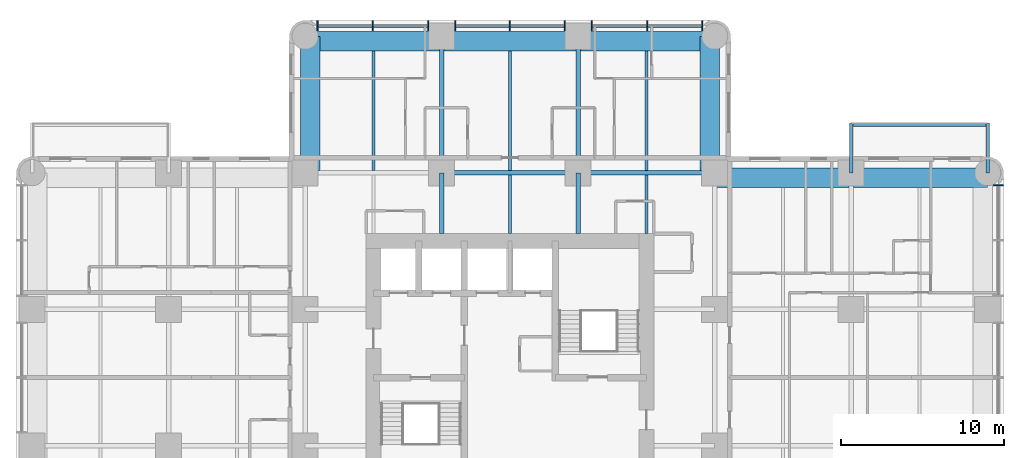
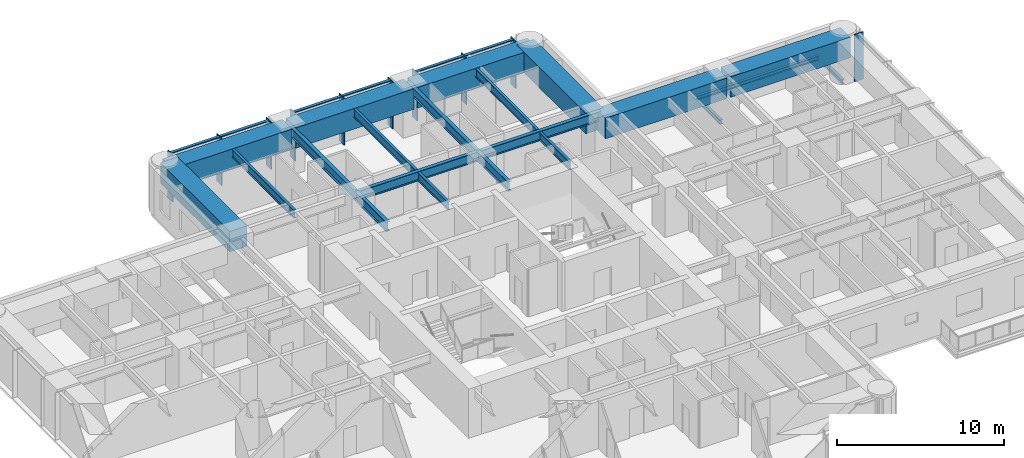
# One storey, part 4 of 14: 21 beams, 16 members, 2 elements without a shape of their own.
"""IFC4 building model written with IfcOpenShell, lengths in metres."""

from ifc_helpers import new_model, si_unit, direction, frame, origin, origin_2d, place, context, subcontext, project, spatial, rectangle, i_section, extrude, material, material_profile, profile_set, type_object, element, aggregate, save


model = new_model("IFC4")

# Units and contexts
model_context = context("Model", 3, precision=1e-05, world=origin(), true_north=direction((0.0, 1.0)))
body_context = subcontext(model_context, "Body", "Model", "MODEL_VIEW")
ifc_project = project(units=[si_unit("LENGTHUNIT", "METRE"), si_unit("AREAUNIT", "SQUARE_METRE"), si_unit("VOLUMEUNIT", "CUBIC_METRE"), si_unit("PLANEANGLEUNIT", "RADIAN"), si_unit("MASSUNIT", "GRAM", prefix="KILO")], contexts=[model_context])

# Site, building, storey
site_placement = place(None, origin())
site = spatial("IfcSite", under=ifc_project, at=site_placement, CompositionType="ELEMENT")
building_placement = place(site_placement, origin())
building = spatial("IfcBuilding", under=site, at=building_placement, Name="Torre Alcanfor", CompositionType="ELEMENT")
storey_placement = place(building_placement, frame((0.0, 0.0, 137.699951171875)))
storey = spatial("IfcBuildingStorey", under=building, at=storey_placement, Name="L35", CompositionType="ELEMENT", Elevation=137.699951171875)

# Beams
ifc_material_1 = material(Name="Steel ASTM A992 Grade 50", Category="steel")
ifc_material_profile_1 = material_profile(ifc_material_1, i_section(OverallWidth=0.205322265625, OverallDepth=0.309814453125, WebThickness=0.00927734375, FlangeThickness=0.016357421875, at=origin_2d()), Name="W12x50")
ifc_profile_set_1 = profile_set([ifc_material_profile_1], Name="Steel ASTM A992 Grade 50")
beam_type_1 = type_object("IfcBeamType", Name="Balcony cantilever beam W12x50", PredefinedType="BEAM", material=ifc_profile_set_1)
for number, where, z_axis, x_axis, name in (
    (1, (50.39990234375, 42.0, -0.35498046875), (0.0, 1.0, 0.0), (-1.0, 0.0, 0.0), "Balcony cantilever beam L35-E1 1"),
    (2, (58.800048828125, 42.0, -0.35498046875), (0.0, 1.0, 0.0), (-1.0, 0.0, 0.0), "Balcony cantilever beam L35-E1 2"),
):
    element("IfcBeam", number, at=place(storey_placement, frame(where, z_axis=z_axis, x_axis=x_axis)), inside=storey, type_object=beam_type_1, Name=name, PredefinedType="BEAM", context=body_context, shape_type="SweptSolid", body=[
        extrude(i_section(OverallWidth=0.205322265625, OverallDepth=0.309814453125, WebThickness=0.00927734375, FlangeThickness=0.016357421875, at=origin_2d()), origin(), (0.0, 0.0, 1.0), 3.050048828125),
    ])
ifc_material_2 = material(Name="Steel ASTM A992 Grade 50", Category="steel")
ifc_material_profile_2 = material_profile(ifc_material_2, i_section(OverallWidth=0.203369140625, OverallDepth=0.30224609375, WebThickness=0.007568359375, FlangeThickness=0.01318359375, at=origin_2d()), Name="W12x40")
ifc_profile_set_2 = profile_set([ifc_material_profile_2], Name="Steel ASTM A992 Grade 50")
beam_type_2 = type_object("IfcBeamType", Name="Balcony edge trimmer W12x40", PredefinedType="BEAM", material=ifc_profile_set_2)
beam_1_placement = place(storey_placement, frame((50.39990234375, 44.9482421875, -0.35107421875), z_axis=(1.0, 0.0, 0.0), x_axis=(0.0, 1.0, 0.0)))
element("IfcBeam", 3, at=beam_1_placement, inside=storey, type_object=beam_type_2, Name="Balcony edge trimmer L35-E1", PredefinedType="BEAM", context=body_context, shape_type="SweptSolid", body=[
    extrude(i_section(OverallWidth=0.203369140625, OverallDepth=0.30224609375, WebThickness=0.007568359375, FlangeThickness=0.01318359375, at=origin_2d()), origin(), (0.0, 0.0, 1.0), 8.400146484375),
])

# Curtain wall, member
ifc_material_3 = material(Name="Aluminium and glass", Category="aluminium")
curtain_wall_type = type_object("IfcCurtainWallType", Name="CW-A unitised apartment glazing with vertical FIN", PredefinedType="NOTDEFINED", material=ifc_material_3)
curtain_wall_1_placement = place(storey_placement, origin())
curtain_wall_1 = element("IfcCurtainWall", 4, at=curtain_wall_1_placement, inside=storey, type_object=curtain_wall_type, Name="Curtain wall CW-A L35 8", PredefinedType="NOTDEFINED")
ifc_material_4 = material(Name="Bronze anodised aluminium", Category="aluminium")
ifc_material_profile_3 = material_profile(ifc_material_4, rectangle(XDim=0.60009765625, YDim=0.06494140625, at=origin_2d()), Name="CW-A mullion 65x600")
ifc_profile_set_3 = profile_set([ifc_material_profile_3], Name="Bronze anodised aluminium")
member_type_1 = type_object("IfcMemberType", Name="CW-A mullion with vertical FIN 65x600", PredefinedType="MULLION", material=ifc_profile_set_3)
member_1_placement = place(storey_placement, frame((59.449951171875, 41.24267578125, 0.0), z_axis=(0.0, 0.0, 1.0), x_axis=(-1.0, 0.0, 0.0)))
member_1 = element("IfcMember", 5, at=member_1_placement, type_object=member_type_1, Name="CW-A mullion 3.3", PredefinedType="MULLION", context=body_context, shape_type="SweptSolid", body=[
    extrude(rectangle(XDim=0.60009765625, YDim=0.06494140625, at=origin_2d()), origin(), (0.0, 0.0, 1.0), 3.449951171875),
])
aggregate(curtain_wall_1, [member_1])

# Curtain wall, members
curtain_wall_2_placement = place(storey_placement, origin())
curtain_wall_2 = element("IfcCurtainWall", 6, at=curtain_wall_2_placement, inside=storey, type_object=curtain_wall_type, Name="Curtain wall CW-A L35 11", PredefinedType="NOTDEFINED")
member_2_placement = place(storey_placement, frame((41.24267578125, 51.050048828125, 0.0), z_axis=(0.0, 0.0, 1.0), x_axis=(0.0, -1.0, 0.0)))
member_2 = element("IfcMember", 7, at=member_2_placement, type_object=member_type_1, Name="CW-A mullion 1.1", PredefinedType="MULLION", context=body_context, shape_type="SweptSolid", body=[
    extrude(rectangle(XDim=0.60009765625, YDim=0.06494140625, at=origin_2d()), origin(), (0.0, 0.0, 1.0), 3.449951171875),
])
member_3_placement = place(storey_placement, frame((37.840087890625, 51.050048828125, 0.0), z_axis=(0.0, 0.0, 1.0), x_axis=(0.0, -1.0, 0.0)))
member_3 = element("IfcMember", 8, at=member_3_placement, type_object=member_type_1, Name="CW-A mullion 1.2", PredefinedType="MULLION", context=body_context, shape_type="SweptSolid", body=[
    extrude(rectangle(XDim=0.60009765625, YDim=0.06494140625, at=origin_2d()), origin(), (0.0, 0.0, 1.0), 3.449951171875),
])
member_4_placement = place(storey_placement, frame((34.4375, 51.050048828125, 0.0), z_axis=(0.0, 0.0, 1.0), x_axis=(0.0, -1.0, 0.0)))
member_4 = element("IfcMember", 9, at=member_4_placement, type_object=member_type_1, Name="CW-A mullion 1.3", PredefinedType="MULLION", context=body_context, shape_type="SweptSolid", body=[
    extrude(rectangle(XDim=0.60009765625, YDim=0.06494140625, at=origin_2d()), origin(), (0.0, 0.0, 1.0), 3.449951171875),
])
member_5_placement = place(storey_placement, frame((32.762451171875, 51.050048828125, 0.0), z_axis=(0.0, 0.0, 1.0), x_axis=(0.0, -1.0, 0.0)))
member_5 = element("IfcMember", 10, at=member_5_placement, type_object=member_type_1, Name="CW-A mullion 2.1", PredefinedType="MULLION", context=body_context, shape_type="SweptSolid", body=[
    extrude(rectangle(XDim=0.60009765625, YDim=0.06494140625, at=origin_2d()), origin(), (0.0, 0.0, 1.0), 3.449951171875),
])
member_6_placement = place(storey_placement, frame((29.39990234375, 51.050048828125, 0.0), z_axis=(0.0, 0.0, 1.0), x_axis=(0.0, -1.0, 0.0)))
member_6 = element("IfcMember", 11, at=member_6_placement, type_object=member_type_1, Name="CW-A mullion 2.2", PredefinedType="MULLION", context=body_context, shape_type="SweptSolid", body=[
    extrude(rectangle(XDim=0.60009765625, YDim=0.06494140625, at=origin_2d()), origin(), (0.0, 0.0, 1.0), 3.449951171875),
])
member_7_placement = place(storey_placement, frame((26.03759765625, 51.050048828125, 0.0), z_axis=(0.0, 0.0, 1.0), x_axis=(0.0, -1.0, 0.0)))
member_7 = element("IfcMember", 12, at=member_7_placement, type_object=member_type_1, Name="CW-A mullion 2.3", PredefinedType="MULLION", context=body_context, shape_type="SweptSolid", body=[
    extrude(rectangle(XDim=0.60009765625, YDim=0.06494140625, at=origin_2d()), origin(), (0.0, 0.0, 1.0), 3.449951171875),
])
member_8_placement = place(storey_placement, frame((24.362548828125, 51.050048828125, 0.0), z_axis=(0.0, 0.0, 1.0), x_axis=(0.0, -1.0, 0.0)))
member_8 = element("IfcMember", 13, at=member_8_placement, type_object=member_type_1, Name="CW-A mullion 3.1", PredefinedType="MULLION", context=body_context, shape_type="SweptSolid", body=[
    extrude(rectangle(XDim=0.60009765625, YDim=0.06494140625, at=origin_2d()), origin(), (0.0, 0.0, 1.0), 3.449951171875),
])
member_9_placement = place(storey_placement, frame((20.9599609375, 51.050048828125, 0.0), z_axis=(0.0, 0.0, 1.0), x_axis=(0.0, -1.0, 0.0)))
member_9 = element("IfcMember", 14, at=member_9_placement, type_object=member_type_1, Name="CW-A mullion 3.2", PredefinedType="MULLION", context=body_context, shape_type="SweptSolid", body=[
    extrude(rectangle(XDim=0.60009765625, YDim=0.06494140625, at=origin_2d()), origin(), (0.0, 0.0, 1.0), 3.449951171875),
])
member_10_placement = place(storey_placement, frame((17.557373046875, 51.050048828125, 0.0), z_axis=(0.0, 0.0, 1.0), x_axis=(0.0, -1.0, 0.0)))
member_10 = element("IfcMember", 15, at=member_10_placement, type_object=member_type_1, Name="CW-A mullion 3.3", PredefinedType="MULLION", context=body_context, shape_type="SweptSolid", body=[
    extrude(rectangle(XDim=0.60009765625, YDim=0.06494140625, at=origin_2d()), origin(), (0.0, 0.0, 1.0), 3.449951171875),
])
ifc_material_5 = material(Name="Extruded aluminium", Category="aluminium")
ifc_material_profile_4 = material_profile(ifc_material_5, rectangle(XDim=0.199951171875, YDim=0.06494140625, at=origin_2d()), Name="CW-A transom 200x65")
ifc_profile_set_4 = profile_set([ifc_material_profile_4], Name="Extruded aluminium")
member_type_2 = type_object("IfcMemberType", Name="CW-A transom 65x200", PredefinedType="USERDEFINED", material=ifc_profile_set_4)
member_11_placement = place(storey_placement, frame((41.210205078125, 51.050048828125, 3.41748046875), z_axis=(-1.0, 0.0, 0.0), x_axis=(0.0, -1.0, 0.0)))
member_11 = element("IfcMember", 16, at=member_11_placement, type_object=member_type_2, Name="CW-A transom 1.1.2", ObjectType="TRANSOM", PredefinedType="USERDEFINED", context=body_context, shape_type="SweptSolid", body=[
    extrude(rectangle(XDim=0.199951171875, YDim=0.06494140625, at=origin_2d()), origin(), (0.0, 0.0, 1.0), 3.337646484375),
])
member_12_placement = place(storey_placement, frame((37.8076171875, 51.050048828125, 3.41748046875), z_axis=(-1.0, 0.0, 0.0), x_axis=(0.0, -1.0, 0.0)))
member_12 = element("IfcMember", 17, at=member_12_placement, type_object=member_type_2, Name="CW-A transom 1.2.2", ObjectType="TRANSOM", PredefinedType="USERDEFINED", context=body_context, shape_type="SweptSolid", body=[
    extrude(rectangle(XDim=0.199951171875, YDim=0.06494140625, at=origin_2d()), origin(), (0.0, 0.0, 1.0), 3.337646484375),
])
member_13_placement = place(storey_placement, frame((32.72998046875, 51.050048828125, 3.41748046875), z_axis=(-1.0, 0.0, 0.0), x_axis=(0.0, -1.0, 0.0)))
member_13 = element("IfcMember", 18, at=member_13_placement, type_object=member_type_2, Name="CW-A transom 2.1.2", ObjectType="TRANSOM", PredefinedType="USERDEFINED", context=body_context, shape_type="SweptSolid", body=[
    extrude(rectangle(XDim=0.199951171875, YDim=0.06494140625, at=origin_2d()), origin(), (0.0, 0.0, 1.0), 3.29736328125),
])
member_14_placement = place(storey_placement, frame((29.367431640625, 51.050048828125, 3.41748046875), z_axis=(-1.0, 0.0, 0.0), x_axis=(0.0, -1.0, 0.0)))
member_14 = element("IfcMember", 19, at=member_14_placement, type_object=member_type_2, Name="CW-A transom 2.2.2", ObjectType="TRANSOM", PredefinedType="USERDEFINED", context=body_context, shape_type="SweptSolid", body=[
    extrude(rectangle(XDim=0.199951171875, YDim=0.06494140625, at=origin_2d()), origin(), (0.0, 0.0, 1.0), 3.29736328125),
])
member_15_placement = place(storey_placement, frame((24.330078125, 51.050048828125, 3.41748046875), z_axis=(-1.0, 0.0, 0.0), x_axis=(0.0, -1.0, 0.0)))
member_15 = element("IfcMember", 20, at=member_15_placement, type_object=member_type_2, Name="CW-A transom 3.1.2", ObjectType="TRANSOM", PredefinedType="USERDEFINED", context=body_context, shape_type="SweptSolid", body=[
    extrude(rectangle(XDim=0.199951171875, YDim=0.06494140625, at=origin_2d()), origin(), (0.0, 0.0, 1.0), 3.337646484375),
])
member_16_placement = place(storey_placement, frame((20.927490234375, 51.050048828125, 3.41748046875), z_axis=(-1.0, 0.0, 0.0), x_axis=(0.0, -1.0, 0.0)))
member_16 = element("IfcMember", 21, at=member_16_placement, type_object=member_type_2, Name="CW-A transom 3.2.2", ObjectType="TRANSOM", PredefinedType="USERDEFINED", context=body_context, shape_type="SweptSolid", body=[
    extrude(rectangle(XDim=0.199951171875, YDim=0.06494140625, at=origin_2d()), origin(), (0.0, 0.0, 1.0), 3.337646484375),
])
aggregate(curtain_wall_2, [member_2, member_3, member_4, member_11, member_12, member_5, member_6, member_7, member_13, member_14, member_8, member_9, member_10, member_15, member_16])

# Beams
ifc_material_6 = material(Name="Steel ASTM A992 Grade 50", Category="steel")
ifc_material_profile_5 = material_profile(ifc_material_6, i_section(OverallWidth=0.25390625, OverallDepth=0.683349609375, WebThickness=0.012451171875, FlangeThickness=0.01904296875, at=origin_2d()), Name="W27x94")
ifc_profile_set_5 = profile_set([ifc_material_profile_5], Name="Steel ASTM A992 Grade 50")
beam_type_3 = type_object("IfcBeamType", Name="Girder W27x94", PredefinedType="BEAM", material=ifc_profile_set_5)
beam_2_placement = place(storey_placement, frame((25.199951171875, 42.0, 3.1083984375), z_axis=(1.0, 0.0, 0.0), x_axis=(0.0, 1.0, 0.0)))
element("IfcBeam", 22, at=beam_2_placement, inside=storey, type_object=beam_type_3, Name="Beam 4H-5H under L36", PredefinedType="BEAM", context=body_context, shape_type="SweptSolid", body=[
    extrude(i_section(OverallWidth=0.25390625, OverallDepth=0.683349609375, WebThickness=0.012451171875, FlangeThickness=0.01904296875, at=origin_2d()), origin(), (0.0, 0.0, 1.0), 8.400146484375),
])
for number, where, z_axis, x_axis, name in (
    (23, (33.60009765625, 42.0, 3.1083984375), (1.0, 0.0, 0.0), (0.0, 1.0, 0.0), "Beam 5H-6H under L36"),
    (24, (25.199951171875, 42.0, 3.1083984375), (0.0, 1.0, 0.0), (-1.0, 0.0, 0.0), "Beam 4H-4J under L36"),
    (25, (33.60009765625, 42.0, 3.1083984375), (0.0, 1.0, 0.0), (-1.0, 0.0, 0.0), "Beam 5H-5J under L36"),
):
    element("IfcBeam", number, at=place(storey_placement, frame(where, z_axis=z_axis, x_axis=x_axis)), inside=storey, type_object=beam_type_3, Name=name, PredefinedType="BEAM", context=body_context, shape_type="SweptSolid", body=[
        extrude(i_section(OverallWidth=0.25390625, OverallDepth=0.683349609375, WebThickness=0.012451171875, FlangeThickness=0.01904296875, at=origin_2d()), origin(), (0.0, 0.0, 1.0), 8.39990234375),
    ])
ifc_material_7 = material(Name="Steel ASTM A992 Grade 50", Category="steel")
ifc_material_profile_6 = material_profile(ifc_material_7, i_section(OverallWidth=0.25390625, OverallDepth=0.683349609375, WebThickness=0.012451171875, FlangeThickness=0.01904296875, at=origin_2d()), Name="W27x94")
ifc_profile_set_6 = profile_set([ifc_material_profile_6], Name="Steel ASTM A992 Grade 50")
beam_type_4 = type_object("IfcBeamType", Name="Girder, part bay W27x94", PredefinedType="BEAM", material=ifc_profile_set_6)
for number, where, z_axis, x_axis, name in (
    (26, (25.199951171875, 42.0, 3.1083984375), (0.0, -1.0, 0.0), (1.0, 0.0, 0.0), "Beam 4H-438_25 under L36"),
    (27, (33.60009765625, 42.0, 3.1083984375), (0.0, -1.0, 0.0), (1.0, 0.0, 0.0), "Beam 5H-538_25 under L36"),
):
    element("IfcBeam", number, at=place(storey_placement, frame(where, z_axis=z_axis, x_axis=x_axis)), inside=storey, type_object=beam_type_4, Name=name, PredefinedType="BEAM", context=body_context, shape_type="SweptSolid", body=[
        extrude(i_section(OverallWidth=0.25390625, OverallDepth=0.683349609375, WebThickness=0.012451171875, FlangeThickness=0.01904296875, at=origin_2d()), origin(), (0.0, 0.0, 1.0), 3.75),
    ])
ifc_material_8 = material(Name="Concrete f'c 70 MPa", Category="concrete")
ifc_material_profile_7 = material_profile(ifc_material_8, rectangle(XDim=1.199951171875, YDim=1.5, at=origin_2d()), Name="1200x1500")
ifc_profile_set_7 = profile_set([ifc_material_profile_7], Name="Concrete f'c 70 MPa")
beam_type_5 = type_object("IfcBeamType", Name="RC perimeter beam 1200x1500", PredefinedType="BEAM", material=ifc_profile_set_7)
beam_3_placement = place(storey_placement, frame((41.873046875, 41.699951171875, 2.699951171875), z_axis=(1.0, 0.0, 0.0), x_axis=(0.0, 1.0, 0.0)))
element("IfcBeam", 28, at=beam_3_placement, inside=storey, type_object=beam_type_5, Name="Beam 6H-7H under L36", PredefinedType="BEAM", context=body_context, shape_type="SweptSolid", body=[
    extrude(rectangle(XDim=1.199951171875, YDim=1.5, at=origin_2d()), origin(), (0.0, 0.0, 1.0), 8.39990234375),
])
for number, where, z_axis, x_axis, name in (
    (29, (50.527099609375, 41.699951171875, 2.699951171875), (1.0, 0.0, 0.0), (0.0, 1.0, 0.0), "Beam 7H-8H under L36"),
    (30, (16.800048828125, 50.10009765625, 2.699951171875), (1.0, 0.0, 0.0), (0.0, 1.0, 0.0), "Beam 3J-4J under L36"),
):
    element("IfcBeam", number, at=place(storey_placement, frame(where, z_axis=z_axis, x_axis=x_axis)), inside=storey, type_object=beam_type_5, Name=name, PredefinedType="BEAM", context=body_context, shape_type="SweptSolid", body=[
        extrude(rectangle(XDim=1.199951171875, YDim=1.5, at=origin_2d()), origin(), (0.0, 0.0, 1.0), 8.27294921875),
    ])
beam_4_placement = place(storey_placement, frame((25.326904296875, 50.10009765625, 2.699951171875), z_axis=(1.0, 0.0, 0.0), x_axis=(0.0, 1.0, 0.0)))
element("IfcBeam", 31, at=beam_4_placement, inside=storey, type_object=beam_type_5, Name="Beam 4J-5J under L36", PredefinedType="BEAM", context=body_context, shape_type="SweptSolid", body=[
    extrude(rectangle(XDim=1.199951171875, YDim=1.5, at=origin_2d()), origin(), (0.0, 0.0, 1.0), 8.14599609375),
])
for number, where, z_axis, x_axis, name in (
    (32, (33.72705078125, 50.10009765625, 2.699951171875), (1.0, 0.0, 0.0), (0.0, 1.0, 0.0), "Beam 5J-6J under L36"),
    (33, (17.10009765625, 42.126953125, 2.699951171875), (0.0, 1.0, 0.0), (-1.0, 0.0, 0.0), "Beam 3H-3J under L36"),
    (34, (41.699951171875, 42.126953125, 2.699951171875), (0.0, 1.0, 0.0), (-1.0, 0.0, 0.0), "Beam 6H-6J under L36"),
):
    element("IfcBeam", number, at=place(storey_placement, frame(where, z_axis=z_axis, x_axis=x_axis)), inside=storey, type_object=beam_type_5, Name=name, PredefinedType="BEAM", context=body_context, shape_type="SweptSolid", body=[
        extrude(rectangle(XDim=1.199951171875, YDim=1.5, at=origin_2d()), origin(), (0.0, 0.0, 1.0), 8.27294921875),
    ])
ifc_material_9 = material(Name="Steel ASTM A992 Grade 50", Category="steel")
ifc_material_profile_8 = material_profile(ifc_material_9, i_section(OverallWidth=0.1787109375, OverallDepth=0.60205078125, WebThickness=0.010986328125, FlangeThickness=0.014892578125, at=origin_2d()), Name="W24x62")
ifc_profile_set_8 = profile_set([ifc_material_profile_8], Name="Steel ASTM A992 Grade 50")
beam_type_6 = type_object("IfcBeamType", Name="Secondary beam W24x62", PredefinedType="BEAM", material=ifc_profile_set_8)
for number, where, z_axis, x_axis, name in (
    (35, (21.0, 42.126953125, 3.149169921875), (0.0, 1.0, 0.0), (-1.0, 0.0, 0.0), "Beam 21H-21J under L36"),
    (36, (29.39990234375, 42.126953125, 3.149169921875), (0.0, 1.0, 0.0), (-1.0, 0.0, 0.0), "Beam 29_4H-29_4J under L36"),
    (37, (37.800048828125, 42.126953125, 3.149169921875), (0.0, 1.0, 0.0), (-1.0, 0.0, 0.0), "Beam 37_8H-37_8J under L36"),
):
    element("IfcBeam", number, at=place(storey_placement, frame(where, z_axis=z_axis, x_axis=x_axis)), inside=storey, type_object=beam_type_6, Name=name, PredefinedType="BEAM", context=body_context, shape_type="SweptSolid", body=[
        extrude(i_section(OverallWidth=0.1787109375, OverallDepth=0.60205078125, WebThickness=0.010986328125, FlangeThickness=0.014892578125, at=origin_2d()), origin(), (0.0, 0.0, 1.0), 7.373046875),
    ])
ifc_material_10 = material(Name="Steel ASTM A992 Grade 50", Category="steel")
ifc_material_profile_9 = material_profile(ifc_material_10, i_section(OverallWidth=0.1787109375, OverallDepth=0.60205078125, WebThickness=0.010986328125, FlangeThickness=0.014892578125, at=origin_2d()), Name="W24x62")
ifc_profile_set_9 = profile_set([ifc_material_profile_9], Name="Steel ASTM A992 Grade 50")
beam_type_7 = type_object("IfcBeamType", Name="Secondary beam, part bay W24x62", PredefinedType="BEAM", material=ifc_profile_set_9)
for number, where, z_axis, x_axis, name in (
    (38, (29.39990234375, 38.25, 3.149169921875), (0.0, 1.0, 0.0), (-1.0, 0.0, 0.0), "Beam 29_438_25-29_4H under L36"),
    (39, (37.800048828125, 38.25, 3.149169921875), (0.0, 1.0, 0.0), (-1.0, 0.0, 0.0), "Beam 37_838_25-37_8H under L36"),
):
    element("IfcBeam", number, at=place(storey_placement, frame(where, z_axis=z_axis, x_axis=x_axis)), inside=storey, type_object=beam_type_7, Name=name, PredefinedType="BEAM", context=body_context, shape_type="SweptSolid", body=[
        extrude(i_section(OverallWidth=0.1787109375, OverallDepth=0.60205078125, WebThickness=0.010986328125, FlangeThickness=0.014892578125, at=origin_2d()), origin(), (0.0, 0.0, 1.0), 3.623046875),
    ])

save(model, "model.ifc")
